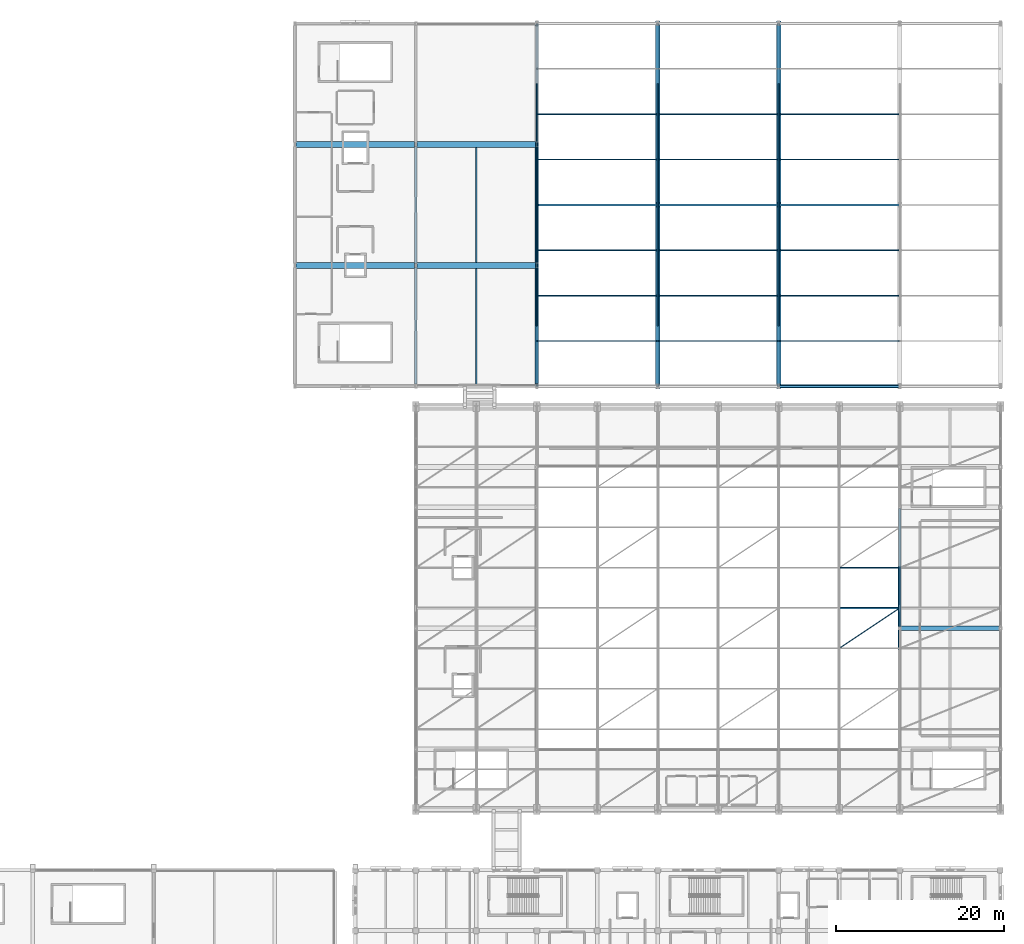
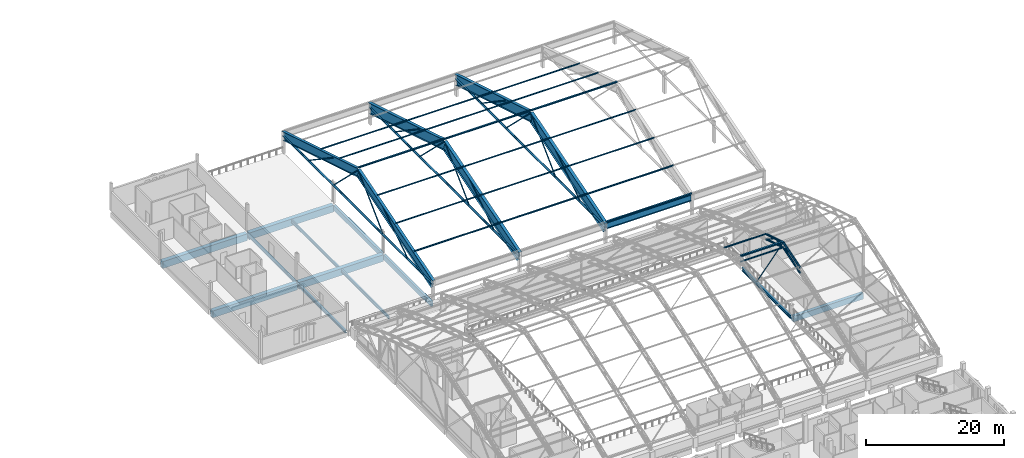
# One storey, part 55 of 116: 45 members, 19 beams.
"""IFC4 building model written with IfcOpenShell, lengths in metres."""

import ifcopenshell
import ifcopenshell.guid

model = None  # the IFC model being written
_history = None  # IfcOwnerHistory: only IFC2X3 demands one
_inside = {}  # id of a spatial element -> (the spatial element, [elements in it])
_under = {}  # id of a project, library or spatial element -> (it, [spatial elements below it])
_declared = {}  # id of a project -> (the project, [libraries it declares])
_typed = {}  # id of a type object -> (the type object, [elements of that type])
_made_of = {}  # id of a material, layer set ... -> (it, [elements and type objects made of it])


def new_model(schema):
    """Start an empty IFC model of exactly this schema.

    Asked for "IFC4X3", IfcOpenShell would pick the latest addendum, in which some entities
    have other attributes; the version numbers below select the first issue.
    IFC2X3 requires an IfcOwnerHistory on every rooted entity: one is made here for all.
    """
    global model, _history
    if schema == "IFC4X3":
        model = ifcopenshell.file(schema_version=(4, 3, 0, 0))
    else:
        model = ifcopenshell.file(schema=schema)
    _inside.clear()
    _under.clear()
    _declared.clear()
    _typed.clear()
    _made_of.clear()
    _history = None
    if model.schema == "IFC2X3":
        org = make("IfcOrganization", Name="unknown")
        user = make(
            "IfcPersonAndOrganization",
            ThePerson=make("IfcPerson", FamilyName="unknown"),
            TheOrganization=org,
        )
        app = make(
            "IfcApplication",
            ApplicationDeveloper=org,
            Version="unknown",
            ApplicationFullName="unknown",
            ApplicationIdentifier="unknown",
        )
        _history = make(
            "IfcOwnerHistory",
            OwningUser=user,
            OwningApplication=app,
            ChangeAction="ADDED",
            CreationDate=0,
        )
    return model


def make(cls, **values):
    """One entity of the class cls with the attributes given. An attribute that is None is left unset."""
    return model.create_entity(
        cls, **{name: value for name, value in values.items() if value is not None}
    )


def rooted(cls, **values):
    """An entity with a GlobalId (a new one), such as an element, a storey or a relation."""
    return make(cls, GlobalId=ifcopenshell.guid.new(), OwnerHistory=_history, **values)


def si_unit(unit_type, name, prefix=None):
    """IfcSIUnit, for example si_unit("LENGTHUNIT", "METRE", prefix="MILLI")."""
    return make("IfcSIUnit", UnitType=unit_type, Prefix=prefix, Name=name)


def assignment(units):
    """IfcUnitAssignment: the units of a project."""
    return None if units is None else make("IfcUnitAssignment", Units=units)


def point(xyz):
    """IfcCartesianPoint."""
    return None if xyz is None else make("IfcCartesianPoint", Coordinates=xyz)


def direction(xyz):
    """IfcDirection."""
    return None if xyz is None else make("IfcDirection", DirectionRatios=xyz)


def frame(location, z_axis=None, x_axis=None):
    """IfcAxis2Placement3D, a coordinate frame: its origin and axes. An axis left out is left unset."""
    return make(
        "IfcAxis2Placement3D",
        Location=point(location),
        Axis=direction(z_axis),
        RefDirection=direction(x_axis),
    )


def frame_2d(location, x_axis=None):
    """IfcAxis2Placement2D, a coordinate frame in the plane: its origin and x axis."""
    return make(
        "IfcAxis2Placement2D", Location=point(location), RefDirection=direction(x_axis)
    )


def origin():
    """The frame at (0, 0, 0) with its axes left unset."""
    return frame((0.0, 0.0, 0.0))


def origin_2d():
    """The frame at (0, 0) in the plane with its x axis left unset."""
    return frame_2d((0.0, 0.0))


def place(relative_to, where):
    """IfcLocalPlacement: puts the frame where relative to a parent placement (None: the world)."""
    return make(
        "IfcLocalPlacement", PlacementRelTo=relative_to, RelativePlacement=where
    )


def context(
    kind, dimensions, precision=None, world=None, true_north=None, identifier=None
):
    """IfcGeometricRepresentationContext, for example the 3D "Model" context."""
    return make(
        "IfcGeometricRepresentationContext",
        ContextIdentifier=identifier,
        ContextType=kind,
        CoordinateSpaceDimension=dimensions,
        Precision=precision,
        WorldCoordinateSystem=world,
        TrueNorth=true_north,
    )


def subcontext(parent, identifier, kind, view, scale=None):
    """IfcGeometricRepresentationSubContext, for example "Body" below "Model"."""
    return make(
        "IfcGeometricRepresentationSubContext",
        ContextIdentifier=identifier,
        ContextType=kind,
        ParentContext=parent,
        TargetScale=scale,
        TargetView=view,
    )


def project(units=None, contexts=None):
    """IfcProject with its units and contexts."""
    return rooted(
        "IfcProject",
        Name="project",
        RepresentationContexts=contexts,
        UnitsInContext=assignment(units),
    )


def spatial(cls, under=None, at=None, **own):
    """A site, building, storey or space (cls), placed at a placement, below another one or the project."""
    s = rooted(cls, ObjectPlacement=at, **own)
    if under is not None:
        _under.setdefault(under.id(), (under, []))[1].append(s)
    return s


def profile(cls, at=None, kind="AREA", **sizes):
    """A parametric profile (cls). Its sizes go by their IFC names, for example OverallWidth=200.0."""
    return make(cls, ProfileType=kind, Position=at, **sizes)


def rectangle(**sizes):
    """IfcRectangleProfileDef."""
    return profile("IfcRectangleProfileDef", **sizes)


def hollow_rectangle(**sizes):
    """IfcRectangleHollowProfileDef."""
    return profile("IfcRectangleHollowProfileDef", **sizes)


def hollow_circle(**sizes):
    """IfcCircleHollowProfileDef."""
    return profile("IfcCircleHollowProfileDef", **sizes)


def i_section(**sizes):
    """IfcIShapeProfileDef."""
    return profile("IfcIShapeProfileDef", **sizes)


def extrude(swept, where, along, depth):
    """IfcExtrudedAreaSolid: the profile swept, set in the frame where, extruded along a direction by depth."""
    return make(
        "IfcExtrudedAreaSolid",
        SweptArea=swept,
        Position=where,
        ExtrudedDirection=direction(along),
        Depth=depth,
    )


def shape(context_of_items, identifier, shape_type, items):
    """IfcShapeRepresentation: the items that make up one representation, for example the "Body"."""
    return make(
        "IfcShapeRepresentation",
        ContextOfItems=context_of_items,
        RepresentationIdentifier=identifier,
        RepresentationType=shape_type,
        Items=items,
    )


def material(Name=None, Category=None):
    """IfcMaterial."""
    return make("IfcMaterial", Name=Name, Category=Category)


def material_profile(
    of_material, cross_section, Name=None, Category=None, Priority=None
):
    """IfcMaterialProfile: a cross section and its material."""
    return make(
        "IfcMaterialProfile",
        Name=Name,
        Material=of_material,
        Profile=cross_section,
        Priority=Priority,
        Category=Category,
    )


def profile_set(profiles, Name=None, composite=None):
    """IfcMaterialProfileSet."""
    return make(
        "IfcMaterialProfileSet",
        Name=Name,
        MaterialProfiles=profiles,
        CompositeProfile=composite,
    )


def made_of(thing, what):
    """Note that an element or type object is made of a material, layer set ...; save() writes the relation."""
    if what is not None:
        _made_of.setdefault(what.id(), (what, []))[1].append(thing)
    return thing


def type_object(cls, material=None, **own):
    """A type object (cls), such as IfcWallType, which elements share."""
    return made_of(rooted(cls, **own), material)


def element(
    cls,
    number,
    at=None,
    inside=None,
    cuts=None,
    type_object=None,
    material=None,
    context=None,
    identifier="Body",
    shape_type=None,
    held_by="IfcProductDefinitionShape",
    body=None,
    shapes=None,
    **own,
):
    """One element of the class cls, such as IfcWall. Its Tag is "e" and its number.

    at: its placement. inside: the storey or other place that contains it. cuts: it is an
    opening in that element (IfcRelVoidsElement). A single representation is given by context,
    identifier, shape_type and body (its items); several are given by shapes. held_by: the class
    of the entity that holds the representations. save() writes the other relations.
    """
    e = rooted(cls, Tag="e%d" % number, ObjectPlacement=at, **own)
    if body is not None:
        shapes = [shape(context, identifier, shape_type, body)]
    if shapes is not None:
        e.Representation = make(held_by, Representations=shapes)
    if inside is not None:
        _inside.setdefault(inside.id(), (inside, []))[1].append(e)
    if cuts is not None:
        rooted(
            "IfcRelVoidsElement", RelatingBuildingElement=cuts, RelatedOpeningElement=e
        )
    if type_object is not None:
        _typed.setdefault(type_object.id(), (type_object, []))[1].append(e)
    return made_of(e, material)


def aggregate(whole, parts):
    """IfcRelAggregates: a whole, such as a stair, and the parts it consists of."""
    return rooted("IfcRelAggregates", RelatingObject=whole, RelatedObjects=parts)


def save(model, path):
    """Write the relations noted so far, then the file.

    IfcRelAggregates (storeys below a building ...), IfcRelContainedInSpatialStructure (elements
    in a storey), IfcRelDefinesByType, IfcRelAssociatesMaterial and IfcRelDeclares: one each for
    every whole, place, type object, material and project.
    """
    for whole, parts in _under.values():
        aggregate(whole, parts)
    for where, things in _inside.values():
        rooted(
            "IfcRelContainedInSpatialStructure",
            RelatedElements=things,
            RelatingStructure=where,
        )
    for kind, things in _typed.values():
        rooted("IfcRelDefinesByType", RelatedObjects=things, RelatingType=kind)
    for what, things in _made_of.values():
        rooted("IfcRelAssociatesMaterial", RelatedObjects=things, RelatingMaterial=what)
    for by, libraries in _declared.values():
        rooted("IfcRelDeclares", RelatingContext=by, RelatedDefinitions=libraries)
    model.write(path)


model = new_model("IFC4")

# Units and contexts
model_context = context("Model", 3, precision=1e-05, world=origin(), true_north=direction((0.0, 1.0)))
body_context = subcontext(model_context, "Body", "Model", "MODEL_VIEW")
ifc_project = project(units=[si_unit("LENGTHUNIT", "METRE"), si_unit("AREAUNIT", "SQUARE_METRE"), si_unit("VOLUMEUNIT", "CUBIC_METRE"), si_unit("PLANEANGLEUNIT", "RADIAN"), si_unit("MASSUNIT", "GRAM", prefix="KILO")], contexts=[model_context])

# Site, building, storey
site_placement = place(None, origin())
site = spatial("IfcSite", under=ifc_project, at=site_placement, CompositionType="ELEMENT")
building_placement = place(site_placement, origin())
building = spatial("IfcBuilding", under=site, at=building_placement, Name="Cendralis Lancet Convention Centre", CompositionType="ELEMENT")
storey_placement = place(building_placement, frame((0.0, 0.0, 15.0)))
storey = spatial("IfcBuildingStorey", under=building, at=storey_placement, Name="L03", CompositionType="ELEMENT", Elevation=15.0)

# Beams
ifc_material_1 = material(Name="Concrete G40 (C40/50)", Category="concrete")
ifc_material_profile_1 = material_profile(ifc_material_1, rectangle(XDim=0.699951171875, YDim=1.199951171875, at=origin_2d()), Name="RCB 700x1200")
ifc_profile_set_1 = profile_set([ifc_material_profile_1], Name="Concrete G40 (C40/50)")
beam_type_1 = type_object("IfcBeamType", Name="STR-BM-BG01", PredefinedType="BEAM", material=ifc_profile_set_1)
beam_1_placement = place(storey_placement, frame((124.949951171875, 108.0, -0.860107421875), z_axis=(1.0, 0.0, 0.0), x_axis=(0.0, 1.0, 0.0)))
element("IfcBeam", 1, at=beam_1_placement, inside=storey, type_object=beam_type_1, Name="L03 Beam BG01 #1757", PredefinedType="BEAM", context=body_context, shape_type="SweptSolid", body=[
    extrude(rectangle(XDim=0.699951171875, YDim=1.199951171875, at=origin_2d()), origin(), (0.0, 0.0, 1.0), 14.10009765625),
])
beam_2_placement = place(storey_placement, frame((139.35009765625, 108.0, -0.860107421875), z_axis=(1.0, 0.0, 0.0), x_axis=(0.0, 1.0, 0.0)))
element("IfcBeam", 2, at=beam_2_placement, inside=storey, type_object=beam_type_1, Name="L03 Beam BG01 #1758", PredefinedType="BEAM", context=body_context, shape_type="SweptSolid", body=[
    extrude(rectangle(XDim=0.699951171875, YDim=1.199951171875, at=origin_2d()), origin(), (0.0, 0.0, 1.0), 14.099853515625),
])
beam_3_placement = place(storey_placement, frame((124.949951171875, 122.39990234375, -0.860107421875), z_axis=(1.0, 0.0, 0.0), x_axis=(0.0, 1.0, 0.0)))
element("IfcBeam", 3, at=beam_3_placement, inside=storey, type_object=beam_type_1, Name="L03 Beam BG01 #1759", PredefinedType="BEAM", context=body_context, shape_type="SweptSolid", body=[
    extrude(rectangle(XDim=0.699951171875, YDim=1.199951171875, at=origin_2d()), origin(), (0.0, 0.0, 1.0), 14.10009765625),
])
beam_4_placement = place(storey_placement, frame((139.35009765625, 122.39990234375, -0.860107421875), z_axis=(1.0, 0.0, 0.0), x_axis=(0.0, 1.0, 0.0)))
element("IfcBeam", 4, at=beam_4_placement, inside=storey, type_object=beam_type_1, Name="L03 Beam BG01 #1760", PredefinedType="BEAM", context=body_context, shape_type="SweptSolid", body=[
    extrude(rectangle(XDim=0.699951171875, YDim=1.199951171875, at=origin_2d()), origin(), (0.0, 0.0, 1.0), 14.099853515625),
])
ifc_material_profile_2 = material_profile(ifc_material_1, rectangle(XDim=0.550048828125, YDim=1.0, at=origin_2d()), Name="RCB 550x1000")
ifc_profile_set_2 = profile_set([ifc_material_profile_2], Name="Concrete G40 (C40/50)")
beam_type_2 = type_object("IfcBeamType", Name="STR-BM-BG05", PredefinedType="BEAM", material=ifc_profile_set_2)
beam_5_placement = place(storey_placement, frame((196.97509765625, 64.800048828125, -0.760009765625), z_axis=(1.0, 0.0, 0.0), x_axis=(0.0, 1.0, 0.0)))
element("IfcBeam", 5, at=beam_5_placement, inside=storey, type_object=beam_type_2, Name="L03 Beam BG05 #1526", PredefinedType="BEAM", context=body_context, shape_type="SweptSolid", body=[
    extrude(rectangle(XDim=0.550048828125, YDim=1.0, at=origin_2d()), origin(), (0.0, 0.0, 1.0), 11.64990234375),
])
ifc_material_2 = material(Name="Steel S355", Category="steel")
ifc_material_profile_3 = material_profile(ifc_material_2, i_section(OverallWidth=0.5, OverallDepth=1.800048828125, WebThickness=0.02197265625, FlangeThickness=0.035888671875, at=origin_2d()), Name="PG 1800x500")
ifc_profile_set_3 = profile_set([ifc_material_profile_3], Name="Steel S355")
beam_type_3 = type_object("IfcBeamType", Name="STR-BM-SG01", PredefinedType="BEAM", material=ifc_profile_set_3)
beam_6_placement = place(storey_placement, frame((168.0, 93.60009765625, 2.89990234375), z_axis=(0.0, 0.956349808863, 0.2922243027), x_axis=(-1.0, 0.0, 0.0)))
element("IfcBeam", 6, at=beam_6_placement, inside=storey, type_object=beam_type_3, Name="Grand Ballroom Roof Girder SG01 S-02", PredefinedType="BEAM", context=body_context, shape_type="SweptSolid", body=[
    extrude(i_section(OverallWidth=0.5, OverallDepth=1.800048828125, WebThickness=0.02197265625, FlangeThickness=0.035888671875, at=origin_2d()), origin(), (0.0, 0.0, 1.0), 22.585693359375),
])
beam_7_placement = place(storey_placement, frame((168.0, 115.199951171875, 9.5), z_axis=(0.0, 0.956350731927, -0.292221281811), x_axis=(-1.0, 0.0, 0.0)))
element("IfcBeam", 7, at=beam_7_placement, inside=storey, type_object=beam_type_3, Name="Grand Ballroom Roof Girder SG01 N-02", PredefinedType="BEAM", context=body_context, shape_type="SweptSolid", body=[
    extrude(i_section(OverallWidth=0.5, OverallDepth=1.800048828125, WebThickness=0.02197265625, FlangeThickness=0.035888671875, at=origin_2d()), origin(), (0.0, 0.0, 1.0), 22.5859375),
])
beam_8_placement = place(storey_placement, frame((182.39990234375, 93.60009765625, 2.89990234375), z_axis=(0.0, 0.956349808863, 0.2922243027), x_axis=(-1.0, 0.0, 0.0)))
element("IfcBeam", 8, at=beam_8_placement, inside=storey, type_object=beam_type_3, Name="Grand Ballroom Roof Girder SG01 S-03", PredefinedType="BEAM", context=body_context, shape_type="SweptSolid", body=[
    extrude(i_section(OverallWidth=0.5, OverallDepth=1.800048828125, WebThickness=0.02197265625, FlangeThickness=0.035888671875, at=origin_2d()), origin(), (0.0, 0.0, 1.0), 22.585693359375),
])
beam_9_placement = place(storey_placement, frame((182.39990234375, 115.199951171875, 9.5), z_axis=(0.0, 0.956350731927, -0.292221281811), x_axis=(-1.0, 0.0, 0.0)))
element("IfcBeam", 9, at=beam_9_placement, inside=storey, type_object=beam_type_3, Name="Grand Ballroom Roof Girder SG01 N-03", PredefinedType="BEAM", context=body_context, shape_type="SweptSolid", body=[
    extrude(i_section(OverallWidth=0.5, OverallDepth=1.800048828125, WebThickness=0.02197265625, FlangeThickness=0.035888671875, at=origin_2d()), origin(), (0.0, 0.0, 1.0), 22.5859375),
])
ifc_material_profile_4 = material_profile(ifc_material_2, i_section(OverallWidth=0.449951171875, OverallDepth=1.5, WebThickness=0.02001953125, FlangeThickness=0.035888671875, at=origin_2d()), Name="PG 1500x450")
ifc_profile_set_4 = profile_set([ifc_material_profile_4], Name="Steel S355")
beam_type_4 = type_object("IfcBeamType", Name="STR-BM-SG02", PredefinedType="BEAM", material=ifc_profile_set_4)
beam_10_placement = place(storey_placement, frame((153.60009765625, 93.60009765625, 3.050048828125), z_axis=(0.0, 0.95635282974, 0.292214416222), x_axis=(-1.0, 0.0, 0.0)))
element("IfcBeam", 10, at=beam_10_placement, inside=storey, type_object=beam_type_4, Name="Grand Ballroom Roof Girder SG02 S-01", PredefinedType="BEAM", context=body_context, shape_type="SweptSolid", body=[
    extrude(i_section(OverallWidth=0.449951171875, OverallDepth=1.5, WebThickness=0.02001953125, FlangeThickness=0.035888671875, at=origin_2d()), origin(), (0.0, 0.0, 1.0), 22.585693359375),
])
beam_11_placement = place(storey_placement, frame((153.60009765625, 115.199951171875, 9.64990234375), z_axis=(0.0, 0.956353752745, -0.292211395415), x_axis=(-1.0, 0.0, 0.0)))
element("IfcBeam", 11, at=beam_11_placement, inside=storey, type_object=beam_type_4, Name="Grand Ballroom Roof Girder SG02 N-01", PredefinedType="BEAM", context=body_context, shape_type="SweptSolid", body=[
    extrude(i_section(OverallWidth=0.449951171875, OverallDepth=1.5, WebThickness=0.02001953125, FlangeThickness=0.035888671875, at=origin_2d()), origin(), (0.0, 0.0, 1.0), 22.5859375),
])
ifc_material_profile_5 = material_profile(ifc_material_2, i_section(OverallWidth=0.3798828125, OverallDepth=1.10009765625, WebThickness=0.01611328125, FlangeThickness=0.030029296875, at=origin_2d()), Name="PG 1100x380")
ifc_profile_set_5 = profile_set([ifc_material_profile_5], Name="Steel S355")
beam_type_5 = type_object("IfcBeamType", Name="STR-BM-SG04", PredefinedType="BEAM", material=ifc_profile_set_5)
beam_12_placement = place(storey_placement, frame((182.550048828125, 93.60009765625, 3.25), z_axis=(1.0, 0.0, 0.0), x_axis=(0.0, 1.0, 0.0)))
element("IfcBeam", 12, at=beam_12_placement, inside=storey, type_object=beam_type_5, Name="L03 Beam SG04 #1786", PredefinedType="BEAM", context=body_context, shape_type="SweptSolid", body=[
    extrude(i_section(OverallWidth=0.3798828125, OverallDepth=1.10009765625, WebThickness=0.01611328125, FlangeThickness=0.030029296875, at=origin_2d()), origin(), (0.0, 0.0, 1.0), 14.099853515625),
])
ifc_material_profile_6 = material_profile(ifc_material_2, i_section(OverallWidth=0.300048828125, OverallDepth=0.590087890625, WebThickness=0.012939453125, FlangeThickness=0.02490234375, FilletRadius=0.027099609375, at=origin_2d()), Name="HEA 600")
ifc_profile_set_6 = profile_set([ifc_material_profile_6], Name="Steel S355")
beam_type_6 = type_object("IfcBeamType", Name="STR-BM-SG10", PredefinedType="BEAM", material=ifc_profile_set_6)
beam_13_placement = place(storey_placement, frame((196.800048828125, 64.97509765625, -0.554931640625), z_axis=(0.0, 1.0, 0.0), x_axis=(-1.0, 0.0, 0.0)))
element("IfcBeam", 13, at=beam_13_placement, inside=storey, type_object=beam_type_6, Name="L03 Beam SG10 #1544", PredefinedType="BEAM", context=body_context, shape_type="SweptSolid", body=[
    extrude(i_section(OverallWidth=0.300048828125, OverallDepth=0.590087890625, WebThickness=0.012939453125, FlangeThickness=0.02490234375, FilletRadius=0.027099609375, at=origin_2d()), origin(), (0.0, 0.0, 1.0), 14.0498046875),
])
ifc_material_profile_7 = material_profile(ifc_material_2, i_section(OverallWidth=0.300048828125, OverallDepth=0.489990234375, WebThickness=0.011962890625, FlangeThickness=0.02294921875, FilletRadius=0.027099609375, at=origin_2d()), Name="HEA 500")
ifc_profile_set_7 = profile_set([ifc_material_profile_7], Name="Steel S355")
beam_type_7 = type_object("IfcBeamType", Name="STR-BM-SG12", PredefinedType="BEAM", material=ifc_profile_set_7)
for number, where, z_axis, x_axis, name in (
    (14, (139.199951171875, 93.85009765625, -0.5048828125), (0.0, 1.0, 0.0), (-1.0, 0.0, 0.0), "L03 Beam SG12 #1766"),
    (15, (139.199951171875, 108.25, -0.5048828125), (0.0, 1.0, 0.0), (-1.0, 0.0, 0.0), "L03 Beam SG12 #1767"),
):
    element("IfcBeam", number, at=place(storey_placement, frame(where, z_axis=z_axis, x_axis=x_axis)), inside=storey, type_object=beam_type_7, Name=name, PredefinedType="BEAM", context=body_context, shape_type="SweptSolid", body=[
        extrude(i_section(OverallWidth=0.300048828125, OverallDepth=0.489990234375, WebThickness=0.011962890625, FlangeThickness=0.02294921875, FilletRadius=0.027099609375, at=origin_2d()), origin(), (0.0, 0.0, 1.0), 13.89990234375),
    ])

# Members
ifc_material_profile_8 = material_profile(ifc_material_2, hollow_circle(Radius=0.06982421875, WallThickness=0.00634765625, at=origin_2d()), Name="CHS 139.7x6.3")
ifc_profile_set_8 = profile_set([ifc_material_profile_8], Name="Steel S355")
member_type_1 = type_object("IfcMemberType", Name="STR-BR-RB02", PredefinedType="BRACE", material=ifc_profile_set_8)
member_1_placement = place(storey_placement, frame((189.60009765625, 62.39990234375, 9.7666015625), z_axis=(0.820083420216, 0.546731549451, 0.16896093253), x_axis=(-0.554706707029, 0.832045953765, 0.0)))
element("IfcMember", 16, at=member_1_placement, inside=storey, type_object=member_type_1, Name="Roof Diaphragm Brace RB02 V2-07-04A", PredefinedType="BRACE", context=body_context, shape_type="SweptSolid", body=[
    extrude(hollow_circle(Radius=0.06982421875, WallThickness=0.00634765625, at=origin_2d()), origin(), (0.0, 0.0, 1.0), 8.779541015625),
])
ifc_material_profile_9 = material_profile(ifc_material_2, hollow_rectangle(XDim=0.179931640625, YDim=0.179931640625, WallThickness=0.010009765625, at=origin_2d()), Name="SHS 180x180x10.0")
ifc_profile_set_9 = profile_set([ifc_material_profile_9], Name="Steel S355")
member_type_2 = type_object("IfcMemberType", Name="STR-BR-ST02", PredefinedType="STRUT", material=ifc_profile_set_9)
member_2_placement = place(storey_placement, frame((189.60009765625, 67.199951171875, 10.367919921875), z_axis=(1.0, 0.0, 0.0), x_axis=(0.0, 1.0, 0.0)))
element("IfcMember", 17, at=member_2_placement, inside=storey, type_object=member_type_2, Name="Arch Tie Strut ST02 V2-07-05", PredefinedType="STRUT", context=body_context, shape_type="SweptSolid", body=[
    extrude(hollow_rectangle(XDim=0.179931640625, YDim=0.179931640625, WallThickness=0.010009765625, at=origin_2d()), origin(), (0.0, 0.0, 1.0), 7.199951171875),
])

# Beams
ifc_material_profile_10 = material_profile(ifc_material_2, i_section(OverallWidth=0.2099609375, OverallDepth=0.550048828125, WebThickness=0.010986328125, FlangeThickness=0.01708984375, FilletRadius=0.02392578125, at=origin_2d()), Name="IPE 550")
ifc_profile_set_10 = profile_set([ifc_material_profile_10], Name="Steel S355")
beam_type_8 = type_object("IfcBeamType", Name="STR-JS-BJ05", PredefinedType="JOIST", material=ifc_profile_set_10)
beam_14_placement = place(storey_placement, frame((146.39990234375, 93.800048828125, -0.534912109375), z_axis=(0.0, 1.0, 0.0), x_axis=(-1.0, 0.0, 0.0)))
element("IfcBeam", 18, at=beam_14_placement, inside=storey, type_object=beam_type_8, Name="L03 Beam BJ05 #1772", PredefinedType="JOIST", context=body_context, shape_type="SweptSolid", body=[
    extrude(i_section(OverallWidth=0.2099609375, OverallDepth=0.550048828125, WebThickness=0.010986328125, FlangeThickness=0.01708984375, FilletRadius=0.02392578125, at=origin_2d()), origin(), (0.0, 0.0, 1.0), 13.849853515625),
])
beam_15_placement = place(storey_placement, frame((146.39990234375, 108.35009765625, -0.534912109375), z_axis=(0.0, 1.0, 0.0), x_axis=(-1.0, 0.0, 0.0)))
element("IfcBeam", 19, at=beam_15_placement, inside=storey, type_object=beam_type_8, Name="L03 Beam BJ05 #1773", PredefinedType="JOIST", context=body_context, shape_type="SweptSolid", body=[
    extrude(i_section(OverallWidth=0.2099609375, OverallDepth=0.550048828125, WebThickness=0.010986328125, FlangeThickness=0.01708984375, FilletRadius=0.02392578125, at=origin_2d()), origin(), (0.0, 0.0, 1.0), 13.699951171875),
])

# Members
ifc_material_profile_11 = material_profile(ifc_material_2, i_section(OverallWidth=0.1201171875, OverallDepth=0.239990234375, WebThickness=0.006103515625, FlangeThickness=0.009765625, FilletRadius=0.014892578125, at=origin_2d()), Name="IPE 240")
ifc_profile_set_11 = profile_set([ifc_material_profile_11], Name="Steel S355")
member_type_3 = type_object("IfcMemberType", Name="STR-PR-PR02", PredefinedType="PURLIN", material=ifc_profile_set_11)
member_3_placement = place(storey_placement, frame((189.60009765625, 72.0, 9.896484375), z_axis=(1.0, 0.0, 0.0), x_axis=(0.0, 1.0, 0.0)))
element("IfcMember", 20, at=member_3_placement, inside=storey, type_object=member_type_3, Name="Vault Roof Purlin PR02 V2-07-06", PredefinedType="PURLIN", context=body_context, shape_type="SweptSolid", body=[
    extrude(i_section(OverallWidth=0.1201171875, OverallDepth=0.239990234375, WebThickness=0.006103515625, FlangeThickness=0.009765625, FilletRadius=0.014892578125, at=origin_2d()), origin(), (0.0, 0.0, 1.0), 7.199951171875),
])
ifc_material_profile_12 = material_profile(ifc_material_2, i_section(OverallWidth=0.110107421875, OverallDepth=0.219970703125, WebThickness=0.005859375, FlangeThickness=0.00927734375, FilletRadius=0.011962890625, at=origin_2d()), Name="IPE 220")
ifc_profile_set_12 = profile_set([ifc_material_profile_12], Name="Steel S355")
member_type_4 = type_object("IfcMemberType", Name="STR-PR-PR03", PredefinedType="PURLIN", material=ifc_profile_set_12)
for number, where, z_axis, x_axis, name in (
    (21, (153.60009765625, 104.39990234375, 7.199951171875), (1.0, 0.0, 0.0), (0.0, 1.0, 0.0), "Ballroom Roof Purlin PR03 154-104.4"),
    (22, (153.60009765625, 109.800048828125, 8.85009765625), (1.0, 0.0, 0.0), (0.0, 1.0, 0.0), "Ballroom Roof Purlin PR03 154-109.8"),
    (23, (153.60009765625, 120.60009765625, 8.85009765625), (1.0, 0.0, 0.0), (0.0, 1.0, 0.0), "Ballroom Roof Purlin PR03 154-120.6"),
    (24, (153.60009765625, 126.0, 7.199951171875), (1.0, 0.0, 0.0), (0.0, 1.0, 0.0), "Ballroom Roof Purlin PR03 154-126.0"),
    (25, (168.0, 104.39990234375, 7.199951171875), (1.0, 0.0, 0.0), (0.0, 1.0, 0.0), "Ballroom Roof Purlin PR03 168-104.4"),
    (26, (168.0, 109.800048828125, 8.85009765625), (1.0, 0.0, 0.0), (0.0, 1.0, 0.0), "Ballroom Roof Purlin PR03 168-109.8"),
    (27, (168.0, 120.60009765625, 8.85009765625), (1.0, 0.0, 0.0), (0.0, 1.0, 0.0), "Ballroom Roof Purlin PR03 168-120.6"),
    (28, (168.0, 126.0, 7.199951171875), (1.0, 0.0, 0.0), (0.0, 1.0, 0.0), "Ballroom Roof Purlin PR03 168-126.0"),
):
    element("IfcMember", number, at=place(storey_placement, frame(where, z_axis=z_axis, x_axis=x_axis)), inside=storey, type_object=member_type_4, Name=name, PredefinedType="PURLIN", context=body_context, shape_type="SweptSolid", body=[
        extrude(i_section(OverallWidth=0.110107421875, OverallDepth=0.219970703125, WebThickness=0.005859375, FlangeThickness=0.00927734375, FilletRadius=0.011962890625, at=origin_2d()), origin(), (0.0, 0.0, 1.0), 14.39990234375),
    ])
for number, where, z_axis, x_axis, name in (
    (29, (182.39990234375, 104.39990234375, 7.199951171875), (1.0, 0.0, 0.0), (0.0, 1.0, 0.0), "Ballroom Roof Purlin PR03 182-104.4"),
    (30, (182.39990234375, 109.800048828125, 8.85009765625), (1.0, 0.0, 0.0), (0.0, 1.0, 0.0), "Ballroom Roof Purlin PR03 182-109.8"),
    (31, (182.39990234375, 120.60009765625, 8.85009765625), (1.0, 0.0, 0.0), (0.0, 1.0, 0.0), "Ballroom Roof Purlin PR03 182-120.6"),
    (32, (182.39990234375, 126.0, 7.199951171875), (1.0, 0.0, 0.0), (0.0, 1.0, 0.0), "Ballroom Roof Purlin PR03 182-126.0"),
):
    element("IfcMember", number, at=place(storey_placement, frame(where, z_axis=z_axis, x_axis=x_axis)), inside=storey, type_object=member_type_4, Name=name, PredefinedType="PURLIN", context=body_context, shape_type="SweptSolid", body=[
        extrude(i_section(OverallWidth=0.110107421875, OverallDepth=0.219970703125, WebThickness=0.005859375, FlangeThickness=0.00927734375, FilletRadius=0.011962890625, at=origin_2d()), origin(), (0.0, 0.0, 1.0), 14.400146484375),
    ])
ifc_material_profile_13 = material_profile(ifc_material_2, i_section(OverallWidth=0.10009765625, OverallDepth=0.199951171875, WebThickness=0.005615234375, FlangeThickness=0.008544921875, FilletRadius=0.011962890625, at=origin_2d()), Name="IPE 200")
ifc_profile_set_13 = profile_set([ifc_material_profile_13], Name="Steel S355")
member_type_5 = type_object("IfcMemberType", Name="STR-PR-PR05", PredefinedType="PURLIN", material=ifc_profile_set_13)
for number, where, z_axis, x_axis, name in (
    (33, (153.60009765625, 99.0, 5.56005859375), (1.0, 0.0, 0.0), (0.0, 1.0, 0.0), "Ballroom Roof Purlin PR05 154-99.0"),
    (34, (168.0, 99.0, 5.56005859375), (1.0, 0.0, 0.0), (0.0, 1.0, 0.0), "Ballroom Roof Purlin PR05 168-99.0"),
):
    element("IfcMember", number, at=place(storey_placement, frame(where, z_axis=z_axis, x_axis=x_axis)), inside=storey, type_object=member_type_5, Name=name, PredefinedType="PURLIN", context=body_context, shape_type="SweptSolid", body=[
        extrude(i_section(OverallWidth=0.10009765625, OverallDepth=0.199951171875, WebThickness=0.005615234375, FlangeThickness=0.008544921875, FilletRadius=0.011962890625, at=origin_2d()), origin(), (0.0, 0.0, 1.0), 14.39990234375),
    ])
member_4_placement = place(storey_placement, frame((182.39990234375, 99.0, 5.56005859375), z_axis=(1.0, 0.0, 0.0), x_axis=(0.0, 1.0, 0.0)))
element("IfcMember", 35, at=member_4_placement, inside=storey, type_object=member_type_5, Name="Ballroom Roof Purlin PR05 182-99.0", PredefinedType="PURLIN", context=body_context, shape_type="SweptSolid", body=[
    extrude(i_section(OverallWidth=0.10009765625, OverallDepth=0.199951171875, WebThickness=0.005615234375, FlangeThickness=0.008544921875, FilletRadius=0.011962890625, at=origin_2d()), origin(), (0.0, 0.0, 1.0), 14.400146484375),
])
ifc_material_profile_14 = material_profile(ifc_material_2, i_section(OverallWidth=0.280029296875, OverallDepth=0.27001953125, WebThickness=0.008056640625, FlangeThickness=0.012939453125, FilletRadius=0.02392578125, at=origin_2d()), Name="HEA 280")
ifc_profile_set_14 = profile_set([ifc_material_profile_14], Name="Steel S355")
member_type_6 = type_object("IfcMemberType", Name="STR-PR-PR06", PredefinedType="PURLIN", material=ifc_profile_set_14)
member_5_placement = place(storey_placement, frame((189.60009765625, 67.199951171875, 11.364990234375), z_axis=(1.0, 0.0, 0.0), x_axis=(0.0, 1.0, 0.0)))
element("IfcMember", 36, at=member_5_placement, inside=storey, type_object=member_type_6, Name="Vault Roof Purlin PR06 V2-07-05", PredefinedType="PURLIN", context=body_context, shape_type="SweptSolid", body=[
    extrude(i_section(OverallWidth=0.280029296875, OverallDepth=0.27001953125, WebThickness=0.008056640625, FlangeThickness=0.012939453125, FilletRadius=0.02392578125, at=origin_2d()), origin(), (0.0, 0.0, 1.0), 7.199951171875),
])
ifc_material_profile_15 = material_profile(ifc_material_2, i_section(OverallWidth=0.239990234375, OverallDepth=0.22998046875, WebThickness=0.007568359375, FlangeThickness=0.011962890625, FilletRadius=0.02099609375, at=origin_2d()), Name="HEA 240")
ifc_profile_set_15 = profile_set([ifc_material_profile_15], Name="Steel S355")
member_type_7 = type_object("IfcMemberType", Name="STR-PR-PR08", PredefinedType="PURLIN", material=ifc_profile_set_15)
for number, where, z_axis, x_axis, name in (
    (37, (153.60009765625, 115.199951171875, 10.4951171875), (1.0, 0.0, 0.0), (0.0, 1.0, 0.0), "Ballroom Roof Purlin PR08 154-115.2"),
    (38, (168.0, 115.199951171875, 10.4951171875), (1.0, 0.0, 0.0), (0.0, 1.0, 0.0), "Ballroom Roof Purlin PR08 168-115.2"),
):
    element("IfcMember", number, at=place(storey_placement, frame(where, z_axis=z_axis, x_axis=x_axis)), inside=storey, type_object=member_type_7, Name=name, PredefinedType="PURLIN", context=body_context, shape_type="SweptSolid", body=[
        extrude(i_section(OverallWidth=0.239990234375, OverallDepth=0.22998046875, WebThickness=0.007568359375, FlangeThickness=0.011962890625, FilletRadius=0.02099609375, at=origin_2d()), origin(), (0.0, 0.0, 1.0), 14.39990234375),
    ])
for number, where, z_axis, x_axis, name in (
    (39, (182.39990234375, 93.60009765625, 3.89501953125), (1.0, 0.0, 0.0), (0.0, 1.0, 0.0), "Ballroom Roof Purlin PR08 182-93.6"),
    (40, (182.39990234375, 115.199951171875, 10.4951171875), (1.0, 0.0, 0.0), (0.0, 1.0, 0.0), "Ballroom Roof Purlin PR08 182-115.2"),
):
    element("IfcMember", number, at=place(storey_placement, frame(where, z_axis=z_axis, x_axis=x_axis)), inside=storey, type_object=member_type_7, Name=name, PredefinedType="PURLIN", context=body_context, shape_type="SweptSolid", body=[
        extrude(i_section(OverallWidth=0.239990234375, OverallDepth=0.22998046875, WebThickness=0.007568359375, FlangeThickness=0.011962890625, FilletRadius=0.02099609375, at=origin_2d()), origin(), (0.0, 0.0, 1.0), 14.400146484375),
    ])

# Beams
ifc_material_profile_16 = material_profile(ifc_material_1, rectangle(XDim=0.39990234375, YDim=0.85009765625, at=origin_2d()), Name="RCB 400x850")
ifc_profile_set_16 = profile_set([ifc_material_profile_16], Name="Concrete G40 (C40/50)")
beam_type_9 = type_object("IfcBeamType", Name="STR-SP-SP02", PredefinedType="SPANDREL", material=ifc_profile_set_16)
for number, where, z_axis, x_axis, name in (
    (41, (153.60009765625, 93.925048828125, -0.68505859375), (0.0, 1.0, 0.0), (-1.0, 0.0, 0.0), "L03 Beam SP02 #1769"),
    (42, (153.60009765625, 108.324951171875, -0.68505859375), (0.0, 1.0, 0.0), (-1.0, 0.0, 0.0), "L03 Beam SP02 #1770"),
):
    element("IfcBeam", number, at=place(storey_placement, frame(where, z_axis=z_axis, x_axis=x_axis)), inside=storey, type_object=beam_type_9, Name=name, PredefinedType="SPANDREL", context=body_context, shape_type="SweptSolid", body=[
        extrude(rectangle(XDim=0.39990234375, YDim=0.85009765625, at=origin_2d()), origin(), (0.0, 0.0, 1.0), 13.75),
    ])

# Members
ifc_material_profile_17 = material_profile(ifc_material_2, hollow_circle(Radius=0.161865234375, WallThickness=0.01416015625, at=origin_2d()), Name="CHS 323.9x14.2")
ifc_profile_set_17 = profile_set([ifc_material_profile_17], Name="Steel S355")
member_type_8 = type_object("IfcMemberType", Name="STR-TR-BC02-INT", PredefinedType="CHORD", material=ifc_profile_set_17)
for number, where, z_axis, x_axis, name in (
    (43, (196.800048828125, 62.28564453125, 8.814697265625), (0.0, 0.953497974751, 0.301399422935), (-1.0, 0.0, 0.0), "ROOF TRUSS AT-V2-09 Bottom Chord 04"),
    (44, (196.800048828125, 67.085693359375, 10.404296875), (0.0, 0.953497974751, -0.301399422935), (-1.0, 0.0, 0.0), "ROOF TRUSS AT-V2-09 Bottom Chord 05"),
):
    element("IfcMember", number, at=place(storey_placement, frame(where, z_axis=z_axis, x_axis=x_axis)), inside=storey, type_object=member_type_8, Name=name, PredefinedType="CHORD", context=body_context, shape_type="SweptSolid", body=[
        extrude(hollow_circle(Radius=0.161865234375, WallThickness=0.01416015625, at=origin_2d()), origin(), (0.0, 0.0, 1.0), 5.274169921875),
    ])
ifc_material_profile_18 = material_profile(ifc_material_2, hollow_circle(Radius=0.177734375, WallThickness=0.01611328125, at=origin_2d()), Name="CHS 355.6x16.0")
ifc_profile_set_18 = profile_set([ifc_material_profile_18], Name="Steel S355")
member_type_9 = type_object("IfcMemberType", Name="STR-TR-TC02", PredefinedType="CHORD", material=ifc_profile_set_18)
member_6_placement = place(storey_placement, frame((153.60009765625, 93.60009765625, 3.0), z_axis=(0.0, 1.0, 0.0), x_axis=(-1.0, 0.0, 0.0)))
element("IfcMember", 45, at=member_6_placement, inside=storey, type_object=member_type_9, Name="Ballroom Roof Tie Chord TC02 #01", PredefinedType="CHORD", context=body_context, shape_type="SweptSolid", body=[
    extrude(hollow_circle(Radius=0.177734375, WallThickness=0.01611328125, at=origin_2d()), origin(), (0.0, 0.0, 1.0), 43.199951171875),
])
ifc_material_profile_19 = material_profile(ifc_material_2, hollow_circle(Radius=0.177734375, WallThickness=0.01611328125, at=origin_2d()), Name="CHS 355.6x16.0")
ifc_profile_set_19 = profile_set([ifc_material_profile_19], Name="Steel S355")
member_type_10 = type_object("IfcMemberType", Name="STR-TR-TC02-INT", PredefinedType="CHORD", material=ifc_profile_set_19)
for number, where, z_axis, x_axis, name in (
    (46, (168.0, 93.60009765625, 3.0), (0.0, 1.0, 0.0), (-1.0, 0.0, 0.0), "Ballroom Roof Tie Chord TC02 #02"),
    (47, (182.39990234375, 93.60009765625, 3.0), (0.0, 1.0, 0.0), (-1.0, 0.0, 0.0), "Ballroom Roof Tie Chord TC02 #03"),
):
    element("IfcMember", number, at=place(storey_placement, frame(where, z_axis=z_axis, x_axis=x_axis)), inside=storey, type_object=member_type_10, Name=name, PredefinedType="CHORD", context=body_context, shape_type="SweptSolid", body=[
        extrude(hollow_circle(Radius=0.177734375, WallThickness=0.01611328125, at=origin_2d()), origin(), (0.0, 0.0, 1.0), 43.199951171875),
    ])
member_7_placement = place(storey_placement, frame((196.800048828125, 62.285400390625, 9.731201171875), z_axis=(0.0, 0.955419293566, 0.295252389458), x_axis=(-1.0, 0.0, 0.0)))
element("IfcMember", 48, at=member_7_placement, inside=storey, type_object=member_type_10, Name="ROOF TRUSS AT-V2-09 Top Chord 04", PredefinedType="CHORD", context=body_context, shape_type="SweptSolid", body=[
    extrude(hollow_circle(Radius=0.177734375, WallThickness=0.01611328125, at=origin_2d()), origin(), (0.0, 0.0, 1.0), 5.263916015625),
])
member_8_placement = place(storey_placement, frame((196.800048828125, 67.08544921875, 11.285400390625), z_axis=(0.0, 0.955415250206, -0.295265473218), x_axis=(-1.0, 0.0, 0.0)))
element("IfcMember", 49, at=member_8_placement, inside=storey, type_object=member_type_10, Name="ROOF TRUSS AT-V2-09 Top Chord 05", PredefinedType="CHORD", context=body_context, shape_type="SweptSolid", body=[
    extrude(hollow_circle(Radius=0.177734375, WallThickness=0.01611328125, at=origin_2d()), origin(), (0.0, 0.0, 1.0), 5.263671875),
])
ifc_material_profile_20 = material_profile(ifc_material_2, hollow_circle(Radius=0.096923828125, WallThickness=0.008056640625, at=origin_2d()), Name="CHS 193.7x8.0")
ifc_profile_set_20 = profile_set([ifc_material_profile_20], Name="Steel S355")
member_type_11 = type_object("IfcMemberType", Name="STR-TR-WD02", PredefinedType="BRACE", material=ifc_profile_set_20)
for number, where, z_axis, x_axis, name in (
    (50, (153.60009765625, 108.0, 3.0), (0.0, 0.71450563243, 0.69962968864), (-1.0, 0.0, 0.0), "Ballroom Gothic Arch Brace WD02 KL-01"),
    (51, (153.60009765625, 122.39990234375, 3.0), (0.0, -0.71450563243, 0.69962968864), (1.0, 0.0, 0.0), "Ballroom Gothic Arch Brace WD02 KR-01"),
):
    element("IfcMember", number, at=place(storey_placement, frame(where, z_axis=z_axis, x_axis=x_axis)), inside=storey, type_object=member_type_11, Name=name, PredefinedType="BRACE", context=body_context, shape_type="SweptSolid", body=[
        extrude(hollow_circle(Radius=0.096923828125, WallThickness=0.008056640625, at=origin_2d()), origin(), (0.0, 0.0, 1.0), 10.076904296875),
    ])
member_9_placement = place(storey_placement, frame((153.60009765625, 100.800048828125, 3.0), z_axis=(0.0, 0.829375494682, 0.558691586496), x_axis=(-1.0, 0.0, 0.0)))
element("IfcMember", 52, at=member_9_placement, inside=storey, type_object=member_type_11, Name="Ballroom Gothic Arch Brace WD02 OL-01", PredefinedType="BRACE", context=body_context, shape_type="SweptSolid", body=[
    extrude(hollow_circle(Radius=0.096923828125, WallThickness=0.008056640625, at=origin_2d()), origin(), (0.0, 0.0, 1.0), 8.68115234375),
])
member_10_placement = place(storey_placement, frame((153.60009765625, 129.60009765625, 3.0), z_axis=(0.0, -0.829384272585, 0.558678555512), x_axis=(1.0, 0.0, 0.0)))
element("IfcMember", 53, at=member_10_placement, inside=storey, type_object=member_type_11, Name="Ballroom Gothic Arch Brace WD02 OR-01", PredefinedType="BRACE", context=body_context, shape_type="SweptSolid", body=[
    extrude(hollow_circle(Radius=0.096923828125, WallThickness=0.008056640625, at=origin_2d()), origin(), (0.0, 0.0, 1.0), 8.681396484375),
])
ifc_material_profile_21 = material_profile(ifc_material_2, hollow_circle(Radius=0.096923828125, WallThickness=0.008056640625, at=origin_2d()), Name="CHS 193.7x8.0")
ifc_profile_set_21 = profile_set([ifc_material_profile_21], Name="Steel S355")
member_type_12 = type_object("IfcMemberType", Name="STR-TR-WD02-INT", PredefinedType="BRACE", material=ifc_profile_set_21)
for number, where, z_axis, x_axis, name in (
    (54, (168.0, 108.0, 3.0), (0.0, 0.71450563243, 0.69962968864), (-1.0, 0.0, 0.0), "Ballroom Gothic Arch Brace WD02 KL-02"),
    (55, (168.0, 122.39990234375, 3.0), (0.0, -0.71450563243, 0.69962968864), (1.0, 0.0, 0.0), "Ballroom Gothic Arch Brace WD02 KR-02"),
):
    element("IfcMember", number, at=place(storey_placement, frame(where, z_axis=z_axis, x_axis=x_axis)), inside=storey, type_object=member_type_12, Name=name, PredefinedType="BRACE", context=body_context, shape_type="SweptSolid", body=[
        extrude(hollow_circle(Radius=0.096923828125, WallThickness=0.008056640625, at=origin_2d()), origin(), (0.0, 0.0, 1.0), 10.076904296875),
    ])
member_11_placement = place(storey_placement, frame((168.0, 100.800048828125, 3.0), z_axis=(0.0, 0.829375494682, 0.558691586496), x_axis=(-1.0, 0.0, 0.0)))
element("IfcMember", 56, at=member_11_placement, inside=storey, type_object=member_type_12, Name="Ballroom Gothic Arch Brace WD02 OL-02", PredefinedType="BRACE", context=body_context, shape_type="SweptSolid", body=[
    extrude(hollow_circle(Radius=0.096923828125, WallThickness=0.008056640625, at=origin_2d()), origin(), (0.0, 0.0, 1.0), 8.68115234375),
])
member_12_placement = place(storey_placement, frame((168.0, 129.60009765625, 3.0), z_axis=(0.0, -0.829384272585, 0.558678555512), x_axis=(1.0, 0.0, 0.0)))
element("IfcMember", 57, at=member_12_placement, inside=storey, type_object=member_type_12, Name="Ballroom Gothic Arch Brace WD02 OR-02", PredefinedType="BRACE", context=body_context, shape_type="SweptSolid", body=[
    extrude(hollow_circle(Radius=0.096923828125, WallThickness=0.008056640625, at=origin_2d()), origin(), (0.0, 0.0, 1.0), 8.681396484375),
])
for number, where, z_axis, x_axis, name in (
    (58, (182.39990234375, 108.0, 3.0), (0.0, 0.71450563243, 0.69962968864), (-1.0, 0.0, 0.0), "Ballroom Gothic Arch Brace WD02 KL-03"),
    (59, (182.39990234375, 122.39990234375, 3.0), (0.0, -0.71450563243, 0.69962968864), (1.0, 0.0, 0.0), "Ballroom Gothic Arch Brace WD02 KR-03"),
):
    element("IfcMember", number, at=place(storey_placement, frame(where, z_axis=z_axis, x_axis=x_axis)), inside=storey, type_object=member_type_12, Name=name, PredefinedType="BRACE", context=body_context, shape_type="SweptSolid", body=[
        extrude(hollow_circle(Radius=0.096923828125, WallThickness=0.008056640625, at=origin_2d()), origin(), (0.0, 0.0, 1.0), 10.076904296875),
    ])
member_13_placement = place(storey_placement, frame((182.39990234375, 100.800048828125, 3.0), z_axis=(0.0, 0.829375494682, 0.558691586496), x_axis=(-1.0, 0.0, 0.0)))
element("IfcMember", 60, at=member_13_placement, inside=storey, type_object=member_type_12, Name="Ballroom Gothic Arch Brace WD02 OL-03", PredefinedType="BRACE", context=body_context, shape_type="SweptSolid", body=[
    extrude(hollow_circle(Radius=0.096923828125, WallThickness=0.008056640625, at=origin_2d()), origin(), (0.0, 0.0, 1.0), 8.68115234375),
])
member_14_placement = place(storey_placement, frame((182.39990234375, 129.60009765625, 3.0), z_axis=(0.0, -0.829384272585, 0.558678555512), x_axis=(1.0, 0.0, 0.0)))
element("IfcMember", 61, at=member_14_placement, inside=storey, type_object=member_type_12, Name="Ballroom Gothic Arch Brace WD02 OR-03", PredefinedType="BRACE", context=body_context, shape_type="SweptSolid", body=[
    extrude(hollow_circle(Radius=0.096923828125, WallThickness=0.008056640625, at=origin_2d()), origin(), (0.0, 0.0, 1.0), 8.681396484375),
])
for number, where, z_axis, x_axis, name in (
    (62, (196.800048828125, 64.7001953125, 10.51416015625), (0.0, 0.998298213899, -0.058315316402), (-1.0, 0.0, 0.0), "ROOF TRUSS AT-V2-09 Warren Web 04-1"),
    (63, (196.800048828125, 67.10009765625, 10.3623046875), (0.0, 0.998298213899, 0.058315316402), (-1.0, 0.0, 0.0), "ROOF TRUSS AT-V2-09 Warren Web 05-0"),
):
    element("IfcMember", number, at=place(storey_placement, frame(where, z_axis=z_axis, x_axis=x_axis)), inside=storey, type_object=member_type_12, Name=name, PredefinedType="BRACE", context=body_context, shape_type="SweptSolid", body=[
        extrude(hollow_circle(Radius=0.096923828125, WallThickness=0.008056640625, at=origin_2d()), origin(), (0.0, 0.0, 1.0), 2.60400390625),
    ])
member_15_placement = place(storey_placement, frame((196.800048828125, 69.517578125, 10.565185546875), z_axis=(0.0, 0.822876843509, -0.56821976419), x_axis=(-1.0, 0.0, 0.0)))
element("IfcMember", 64, at=member_15_placement, inside=storey, type_object=member_type_12, Name="ROOF TRUSS AT-V2-09 Warren Web 05-1", PredefinedType="BRACE", context=body_context, shape_type="SweptSolid", body=[
    extrude(hollow_circle(Radius=0.096923828125, WallThickness=0.008056640625, at=origin_2d()), origin(), (0.0, 0.0, 1.0), 3.11669921875),
])

save(model, "model.ifc")
